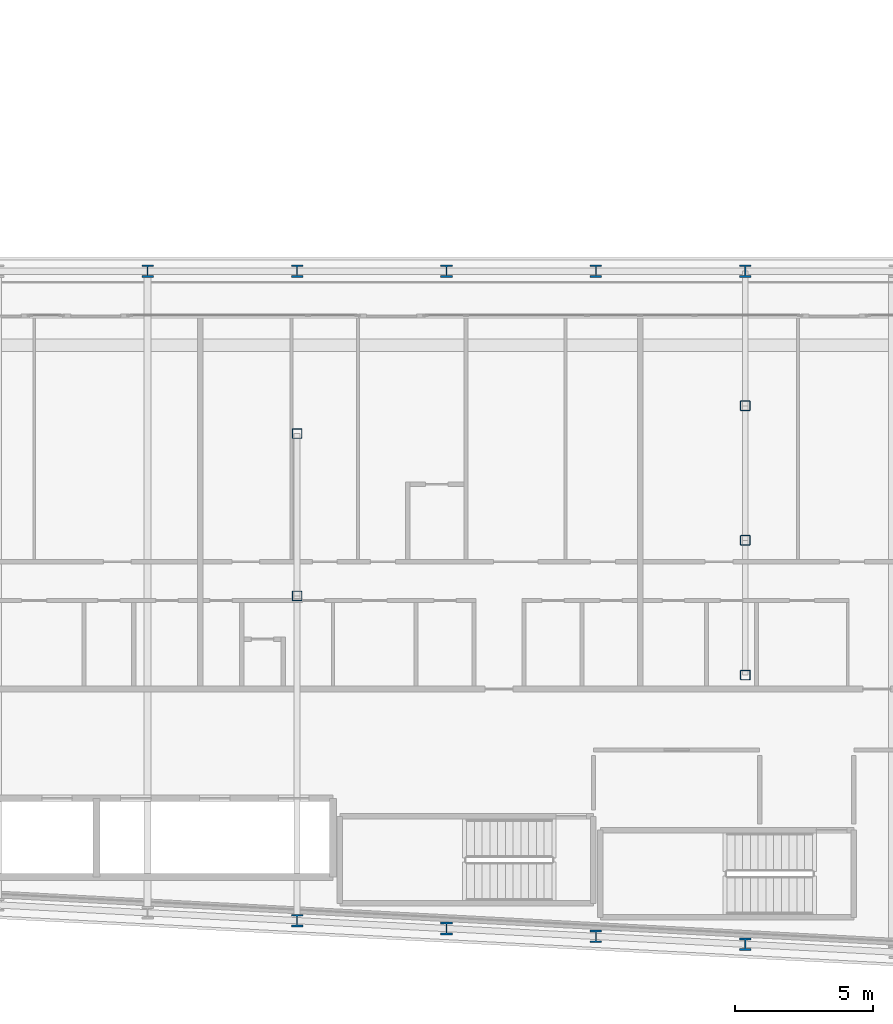
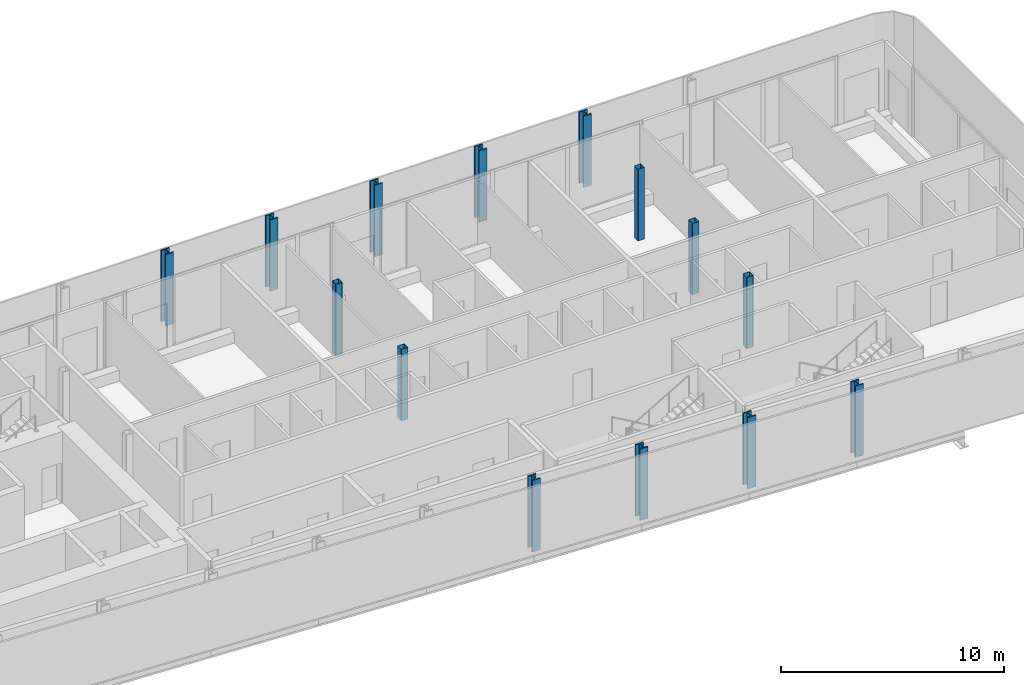
# One storey, part 2 of 28: 14 columns.
"""IFC4 building model written with IfcOpenShell, lengths in metres."""

from ifc_helpers import new_model, si_unit, direction, frame, origin, origin_2d, place, context, subcontext, project, spatial, hollow_rectangle, i_section, extrude, material, material_profile, profile_set, type_object, element, save


model = new_model("IFC4")

# Units and contexts
model_context = context("Model", 3, precision=1e-05, world=origin(), true_north=direction((0.0, 1.0)))
body_context = subcontext(model_context, "Body", "Model", "MODEL_VIEW")
ifc_project = project(units=[si_unit("LENGTHUNIT", "METRE"), si_unit("AREAUNIT", "SQUARE_METRE"), si_unit("VOLUMEUNIT", "CUBIC_METRE"), si_unit("PLANEANGLEUNIT", "RADIAN"), si_unit("MASSUNIT", "GRAM", prefix="KILO")], contexts=[model_context])

# Site, building, storey
site_placement = place(None, origin())
site = spatial("IfcSite", under=ifc_project, at=site_placement, CompositionType="ELEMENT")
building_placement = place(site_placement, origin())
building = spatial("IfcBuilding", under=site, at=building_placement, Name="Kheshtan School and Residences Tower", CompositionType="ELEMENT")
storey_placement = place(building_placement, frame((0.0, 0.0, 125.300048828125)))
storey = spatial("IfcBuildingStorey", under=building, at=storey_placement, Name="L29", CompositionType="ELEMENT", Elevation=125.300048828125)

# Columns
ifc_material_1 = material(Name="Steel ASTM A992 Grade 50", Category="steel")
ifc_material_profile_1 = material_profile(ifc_material_1, i_section(OverallWidth=0.41796875, OverallDepth=0.455078125, WebThickness=0.042236328125, FlangeThickness=0.067626953125, FilletRadius=0.013671875, at=origin_2d()), Name="W360x551")
ifc_profile_set_1 = profile_set([ifc_material_profile_1], Name="Steel ASTM A992 Grade 50")
column_type_1 = type_object("IfcColumnType", Name="Column C2 W360x551 ASTM A992 Grade 50", PredefinedType="COLUMN", material=ifc_profile_set_1)
for number, where, z_axis, x_axis, name in (
    (1, (85.39990234375, 21.27392578125, 0.0), (0.0, 0.0, 1.0), (1.0, 0.0, 0.0), "Column C008"),
    (2, (80.0, 21.55810546875, 0.0), (0.0, 0.0, 1.0), (1.0, 0.0, 0.0), "Column C012"),
    (3, (74.60009765625, 21.843017578125, 0.0), (0.0, 0.0, 1.0), (1.0, 0.0, 0.0), "Column C013"),
    (4, (69.199951171875, 22.126953125, 0.0), (0.0, 0.0, 1.0), (1.0, 0.0, 0.0), "Column C014"),
    (5, (63.800048828125, 45.60009765625, 0.0), (0.0, 0.0, 1.0), (1.0, 0.0, 0.0), "Column C063"),
    (6, (69.199951171875, 45.60009765625, 0.0), (0.0, 0.0, 1.0), (1.0, 0.0, 0.0), "Column C064"),
    (7, (74.60009765625, 45.60009765625, 0.0), (0.0, 0.0, 1.0), (1.0, 0.0, 0.0), "Column C065"),
    (8, (80.0, 45.60009765625, 0.0), (0.0, 0.0, 1.0), (1.0, 0.0, 0.0), "Column C066"),
    (9, (85.39990234375, 45.60009765625, 0.0), (0.0, 0.0, 1.0), (1.0, 0.0, 0.0), "Column C067"),
):
    element("IfcColumn", number, at=place(storey_placement, frame(where, z_axis=z_axis, x_axis=x_axis)), inside=storey, type_object=column_type_1, Name=name, PredefinedType="COLUMN", context=body_context, shape_type="SweptSolid", body=[
        extrude(i_section(OverallWidth=0.41796875, OverallDepth=0.455078125, WebThickness=0.042236328125, FlangeThickness=0.067626953125, FilletRadius=0.013671875, at=origin_2d()), origin(), (0.0, 0.0, 1.0), 3.89990234375),
    ])
ifc_material_2 = material(Name="Steel ASTM A500 Grade C", Category="steel")
ifc_material_profile_2 = material_profile(ifc_material_2, hollow_rectangle(XDim=0.35595703125, YDim=0.35595703125, WallThickness=0.015869140625, InnerFilletRadius=0.015869140625, OuterFilletRadius=0.03173828125, at=origin_2d()), Name="HSS 356x356x15.9")
ifc_profile_set_2 = profile_set([ifc_material_profile_2], Name="Steel ASTM A500 Grade C")
column_type_2 = type_object("IfcColumnType", Name="Column IC1 HSS 356x356x15.9 ASTM A500 Grade C", PredefinedType="COLUMN", material=ifc_profile_set_2)
for number, where, z_axis, x_axis, name in (
    (10, (85.39990234375, 31.0048828125, 0.0), (0.0, 0.0, 1.0), (1.0, 0.0, 0.0), "Column C049"),
    (11, (69.199951171875, 33.863037109375, 0.0), (0.0, 0.0, 1.0), (1.0, 0.0, 0.0), "Column C050"),
    (12, (85.39990234375, 35.8701171875, 0.0), (0.0, 0.0, 1.0), (1.0, 0.0, 0.0), "Column C053"),
    (13, (69.199951171875, 39.73193359375, 0.0), (0.0, 0.0, 1.0), (1.0, 0.0, 0.0), "Column C054"),
    (14, (85.39990234375, 40.735107421875, 0.0), (0.0, 0.0, 1.0), (1.0, 0.0, 0.0), "Column C057"),
):
    element("IfcColumn", number, at=place(storey_placement, frame(where, z_axis=z_axis, x_axis=x_axis)), inside=storey, type_object=column_type_2, Name=name, PredefinedType="COLUMN", context=body_context, shape_type="SweptSolid", body=[
        extrude(hollow_rectangle(XDim=0.35595703125, YDim=0.35595703125, WallThickness=0.015869140625, InnerFilletRadius=0.015869140625, OuterFilletRadius=0.03173828125, at=origin_2d()), origin(), (0.0, 0.0, 1.0), 3.89990234375),
    ])

save(model, "model.ifc")
